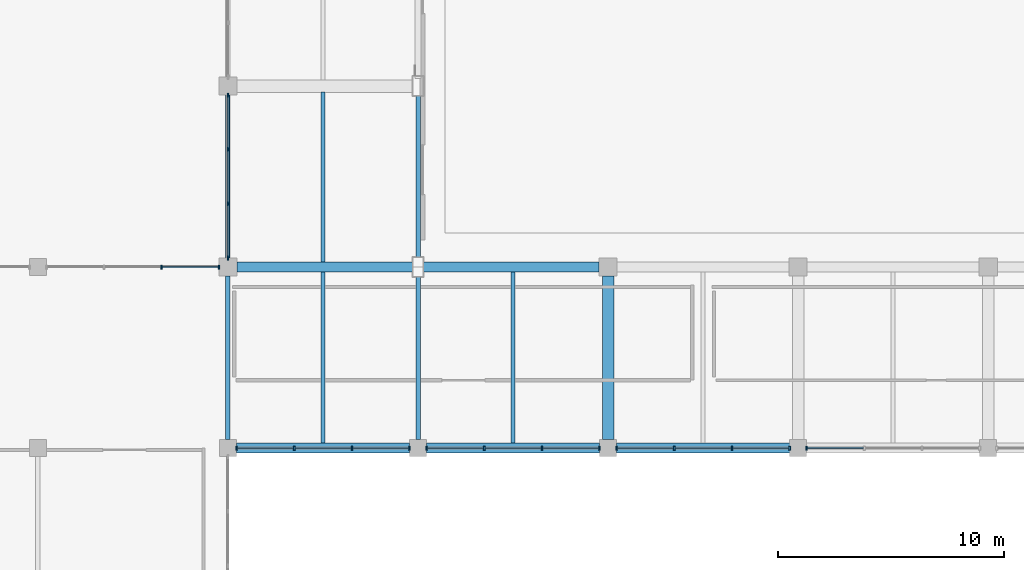
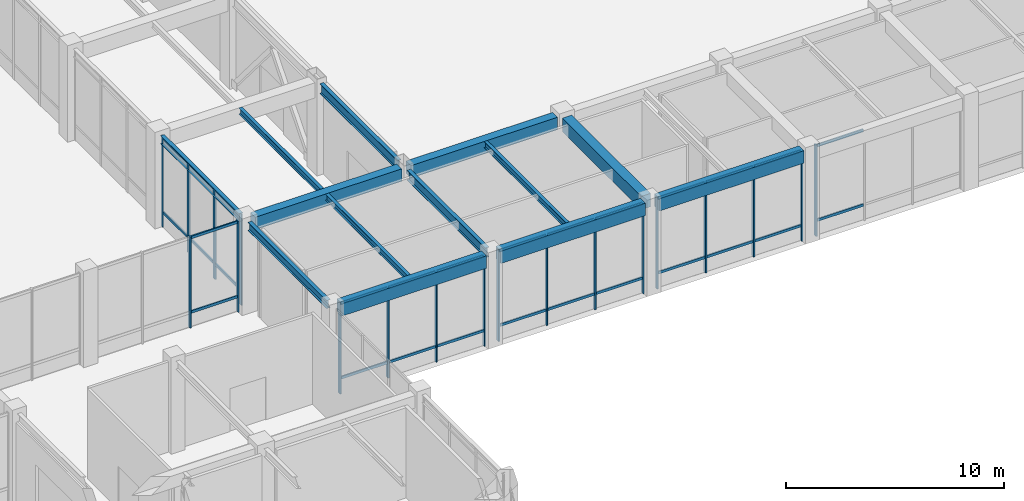
# One storey, part 37 of 79: 47 members, 13 beams, 6 elements without a shape of their own.
"""IFC4 building model written with IfcOpenShell, lengths in metres."""

from ifc_helpers import new_model, si_unit, direction, frame, origin, origin_2d, place, context, subcontext, project, spatial, rectangle, i_section, extrude, material, layer, layer_set, material_profile, profile_set, type_object, element, aggregate, save


model = new_model("IFC4")

# Units and contexts
model_context = context("Model", 3, precision=1e-05, world=origin(), true_north=direction((0.0, 1.0)))
body_context = subcontext(model_context, "Body", "Model", "MODEL_VIEW")
ifc_project = project(units=[si_unit("LENGTHUNIT", "METRE"), si_unit("AREAUNIT", "SQUARE_METRE"), si_unit("VOLUMEUNIT", "CUBIC_METRE"), si_unit("PLANEANGLEUNIT", "RADIAN"), si_unit("MASSUNIT", "GRAM", prefix="KILO")], contexts=[model_context])

# Site, building, storey
site_placement = place(None, origin())
site = spatial("IfcSite", under=ifc_project, at=site_placement, CompositionType="ELEMENT")
building_placement = place(site_placement, origin())
building = spatial("IfcBuilding", under=site, at=building_placement, Name="Naruveol Harbour Congress Hotel", CompositionType="ELEMENT")
storey_placement = place(building_placement, frame((0.0, 0.0, 6.0)))
storey = spatial("IfcBuildingStorey", under=building, at=storey_placement, Name="L01", CompositionType="ELEMENT", Elevation=6.0)

# Beams
ifc_material_1 = material(Name="Concrete C40/50", Category="concrete")
ifc_material_profile_1 = material_profile(ifc_material_1, rectangle(XDim=0.5, YDim=0.75, at=origin_2d()), Name="RCB-500x750")
ifc_profile_set_1 = profile_set([ifc_material_profile_1], Name="Concrete C40/50")
beam_type_1 = type_object("IfcBeamType", Name="RC FLOOR GIRDER 500X750", PredefinedType="BEAM", material=ifc_profile_set_1)
beam_1_placement = place(storey_placement, frame((84.0, 64.37109375, 4.7451171875), z_axis=(0.0, 1.0, 0.0), x_axis=(-1.0, 0.0, 0.0)))
element("IfcBeam", 1, at=beam_1_placement, inside=storey, type_object=beam_type_1, Name="Transverse girder L02 CB3", PredefinedType="BEAM", context=body_context, shape_type="SweptSolid", body=[
    extrude(rectangle(XDim=0.5, YDim=0.75, at=origin_2d()), origin(), (0.0, 0.0, 1.0), 7.23291015625),
])
ifc_material_2 = material(Name="Concrete C40/50", Category="concrete")
ifc_material_profile_2 = material_profile(ifc_material_2, rectangle(XDim=0.449951171875, YDim=0.699951171875, at=origin_2d()), Name="RCB-450x700")
ifc_profile_set_2 = profile_set([ifc_material_profile_2], Name="Concrete C40/50")
beam_type_2 = type_object("IfcBeamType", Name="RC SPANDREL BEAM 450X700", PredefinedType="SPANDREL", material=ifc_profile_set_2)
for number, where, z_axis, x_axis, name in (
    (2, (67.571044921875, 64.0, 4.800048828125), (1.0, 0.0, 0.0), (0.0, 1.0, 0.0), "Floor girder L02 SPB1"),
    (3, (75.970947265625, 64.0, 4.800048828125), (1.0, 0.0, 0.0), (0.0, 1.0, 0.0), "Floor girder L02 SPB1"),
    (4, (84.37109375, 64.0, 4.800048828125), (1.0, 0.0, 0.0), (0.0, 1.0, 0.0), "Floor girder L02 SPB1"),
):
    element("IfcBeam", number, at=place(storey_placement, frame(where, z_axis=z_axis, x_axis=x_axis)), inside=storey, type_object=beam_type_2, Name=name, PredefinedType="SPANDREL", context=body_context, shape_type="SweptSolid", body=[
        extrude(rectangle(XDim=0.449951171875, YDim=0.699951171875, at=origin_2d()), origin(), (0.0, 0.0, 1.0), 7.657958984375),
    ])
for number, where, z_axis, x_axis, name in (
    (5, (67.595947265625, 72.0, 4.77001953125), (1.0, 0.0, 0.0), (0.0, 1.0, 0.0), "Floor girder L02 SPB1"),
    (6, (75.845947265625, 72.0, 4.77001953125), (1.0, 0.0, 0.0), (0.0, 1.0, 0.0), "Floor girder L02 SPB1"),
):
    element("IfcBeam", number, at=place(storey_placement, frame(where, z_axis=z_axis, x_axis=x_axis)), inside=storey, type_object=beam_type_2, Name=name, PredefinedType="SPANDREL", context=body_context, shape_type="SweptSolid", body=[
        extrude(rectangle(XDim=0.449951171875, YDim=0.699951171875, at=origin_2d()), origin(), (0.0, 0.0, 1.0), 7.758056640625),
    ])
ifc_material_3 = material(Name="Steel SN490", Category="steel")
ifc_material_profile_3 = material_profile(ifc_material_3, i_section(OverallWidth=0.199951171875, OverallDepth=0.550048828125, WebThickness=0.010986328125, FlangeThickness=0.01708984375, at=origin_2d()), Name="H-550x200x11x17")
ifc_profile_set_3 = profile_set([ifc_material_profile_3], Name="Steel SN490")
beam_type_3 = type_object("IfcBeamType", Name="STEEL HALL GALLERY BEAM H550", PredefinedType="BEAM", material=ifc_profile_set_3)
beam_2_placement = place(storey_placement, frame((75.60009765625, 64.37109375, 4.844970703125), z_axis=(0.0, 1.0, 0.0), x_axis=(-1.0, 0.0, 0.0)))
element("IfcBeam", 7, at=beam_2_placement, inside=storey, type_object=beam_type_3, Name="Transverse girder L02 SB4", PredefinedType="BEAM", context=body_context, shape_type="SweptSolid", body=[
    extrude(i_section(OverallWidth=0.199951171875, OverallDepth=0.550048828125, WebThickness=0.010986328125, FlangeThickness=0.01708984375, at=origin_2d()), origin(), (0.0, 0.0, 1.0), 7.182861328125),
])
beam_3_placement = place(storey_placement, frame((75.60009765625, 72.446044921875, 4.844970703125), z_axis=(0.0, 1.0, 0.0), x_axis=(-1.0, 0.0, 0.0)))
element("IfcBeam", 8, at=beam_3_placement, inside=storey, type_object=beam_type_3, Name="Transverse girder L02 SB4", PredefinedType="BEAM", context=body_context, shape_type="SweptSolid", body=[
    extrude(i_section(OverallWidth=0.199951171875, OverallDepth=0.550048828125, WebThickness=0.010986328125, FlangeThickness=0.01708984375, at=origin_2d()), origin(), (0.0, 0.0, 1.0), 7.10791015625),
])
ifc_material_4 = material(Name="Steel SN490", Category="steel")
ifc_material_profile_4 = material_profile(ifc_material_4, i_section(OverallWidth=0.175048828125, OverallDepth=0.35009765625, WebThickness=0.007080078125, FlangeThickness=0.010986328125, at=origin_2d()), Name="H-350x175x7x11")
ifc_profile_set_4 = profile_set([ifc_material_profile_4], Name="Steel SN490")
beam_type_4 = type_object("IfcBeamType", Name="STEEL SECONDARY JOIST H350", PredefinedType="JOIST", material=ifc_profile_set_4)
for number, where, z_axis, x_axis, name in (
    (9, (71.39990234375, 64.220947265625, 4.945068359375), (0.0, 1.0, 0.0), (-1.0, 0.0, 0.0), "Secondary floor joist L02 SJ2"),
    (10, (79.800048828125, 64.220947265625, 4.945068359375), (0.0, 1.0, 0.0), (-1.0, 0.0, 0.0), "Secondary floor joist L02 SJ2"),
):
    element("IfcBeam", number, at=place(storey_placement, frame(where, z_axis=z_axis, x_axis=x_axis)), inside=storey, type_object=beam_type_4, Name=name, PredefinedType="JOIST", context=body_context, shape_type="SweptSolid", body=[
        extrude(i_section(OverallWidth=0.175048828125, OverallDepth=0.35009765625, WebThickness=0.007080078125, FlangeThickness=0.010986328125, at=origin_2d()), origin(), (0.0, 0.0, 1.0), 7.55810546875),
    ])
beam_4_placement = place(storey_placement, frame((71.39990234375, 72.220947265625, 4.945068359375), z_axis=(0.0, 1.0, 0.0), x_axis=(-1.0, 0.0, 0.0)))
element("IfcBeam", 11, at=beam_4_placement, inside=storey, type_object=beam_type_4, Name="Secondary floor joist L02 SJ2", PredefinedType="JOIST", context=body_context, shape_type="SweptSolid", body=[
    extrude(i_section(OverallWidth=0.175048828125, OverallDepth=0.35009765625, WebThickness=0.007080078125, FlangeThickness=0.010986328125, at=origin_2d()), origin(), (0.0, 0.0, 1.0), 7.508056640625),
])
ifc_material_5 = material(Name="Steel SN490", Category="steel")
ifc_material_profile_5 = material_profile(ifc_material_5, i_section(OverallWidth=0.199951171875, OverallDepth=0.449951171875, WebThickness=0.009033203125, FlangeThickness=0.013916015625, at=origin_2d()), Name="H-450x200x9x14")
ifc_profile_set_5 = profile_set([ifc_material_profile_5], Name="Steel SN490")
beam_type_5 = type_object("IfcBeamType", Name="STEEL SPANDREL EDGE BEAM H450", PredefinedType="SPANDREL", material=ifc_profile_set_5)
beam_5_placement = place(storey_placement, frame((67.199951171875, 64.37109375, 4.89501953125), z_axis=(0.0, 1.0, 0.0), x_axis=(-1.0, 0.0, 0.0)))
element("IfcBeam", 12, at=beam_5_placement, inside=storey, type_object=beam_type_5, Name="Transverse girder L02 SPB2", PredefinedType="SPANDREL", context=body_context, shape_type="SweptSolid", body=[
    extrude(i_section(OverallWidth=0.199951171875, OverallDepth=0.449951171875, WebThickness=0.009033203125, FlangeThickness=0.013916015625, at=origin_2d()), origin(), (0.0, 0.0, 1.0), 7.23291015625),
])
beam_6_placement = place(storey_placement, frame((67.199951171875, 72.39599609375, 4.89501953125), z_axis=(0.0, 1.0, 0.0), x_axis=(-1.0, 0.0, 0.0)))
element("IfcBeam", 13, at=beam_6_placement, inside=storey, type_object=beam_type_5, Name="Transverse girder L02 SPB2", PredefinedType="SPANDREL", context=body_context, shape_type="SweptSolid", body=[
    extrude(i_section(OverallWidth=0.199951171875, OverallDepth=0.449951171875, WebThickness=0.009033203125, FlangeThickness=0.013916015625, at=origin_2d()), origin(), (0.0, 0.0, 1.0), 7.2080078125),
])

# Curtain wall, members
ifc_material_6 = material(Name="Low-E Curtain Wall System", Category="glass")
ifc_layer_1 = layer(ifc_material_6, 0.179931640625)
ifc_layer_set_1 = layer_set([ifc_layer_1], Name="Low-E Curtain Wall System")
curtain_wall_type_1 = type_object("IfcCurtainWallType", Name="UNITISED CURTAIN WALL CW-V2W-17 7200X5100", PredefinedType="USERDEFINED", material=ifc_layer_set_1)
curtain_wall_1_placement = place(storey_placement, origin())
curtain_wall_1 = element("IfcCurtainWall", 14, at=curtain_wall_1_placement, inside=storey, type_object=curtain_wall_type_1, Name="Unitised curtain wall CW-V2W-17 L01", ObjectType="UNITISED GLAZING", PredefinedType="USERDEFINED")
ifc_material_7 = material(Name="Anodised Aluminium 6063-T6", Category="aluminium")
ifc_material_profile_6 = material_profile(ifc_material_7, rectangle(XDim=0.074951171875, YDim=0.179931640625, at=origin_2d()), Name="ALU-75x180")
ifc_profile_set_6 = profile_set([ifc_material_profile_6], Name="Anodised Aluminium 6063-T6")
member_type_1 = type_object("IfcMemberType", Name="THERMAL ALUMINIUM MULLION 75X180", PredefinedType="MULLION", material=ifc_profile_set_6)
member_1_placement = place(storey_placement, frame((67.199951171875, 72.39990234375, 0.0), z_axis=(0.0, 0.0, 1.0), x_axis=(1.0, 0.0, 0.0)))
member_1 = element("IfcMember", 15, at=member_1_placement, type_object=member_type_1, Name="Curtain wall mullion CW-L01-0036-M0", PredefinedType="MULLION", context=body_context, shape_type="SweptSolid", body=[
    extrude(rectangle(XDim=0.074951171875, YDim=0.179931640625, at=origin_2d()), origin(), (0.0, 0.0, 1.0), 5.10009765625),
])
member_2_placement = place(storey_placement, frame((67.199951171875, 74.800048828125, 0.0), z_axis=(0.0, 0.0, 1.0), x_axis=(1.0, 0.0, 0.0)))
member_2 = element("IfcMember", 16, at=member_2_placement, type_object=member_type_1, Name="Curtain wall mullion CW-L01-0036-M1", PredefinedType="MULLION", context=body_context, shape_type="SweptSolid", body=[
    extrude(rectangle(XDim=0.074951171875, YDim=0.179931640625, at=origin_2d()), origin(), (0.0, 0.0, 1.0), 5.10009765625),
])
member_3_placement = place(storey_placement, frame((67.199951171875, 77.199951171875, 0.0), z_axis=(0.0, 0.0, 1.0), x_axis=(1.0, 0.0, 0.0)))
member_3 = element("IfcMember", 17, at=member_3_placement, type_object=member_type_1, Name="Curtain wall mullion CW-L01-0036-M2", PredefinedType="MULLION", context=body_context, shape_type="SweptSolid", body=[
    extrude(rectangle(XDim=0.074951171875, YDim=0.179931640625, at=origin_2d()), origin(), (0.0, 0.0, 1.0), 5.10009765625),
])
member_4_placement = place(storey_placement, frame((67.199951171875, 79.60009765625, 0.0), z_axis=(0.0, 0.0, 1.0), x_axis=(1.0, 0.0, 0.0)))
member_4 = element("IfcMember", 18, at=member_4_placement, type_object=member_type_1, Name="Curtain wall mullion CW-L01-0036-M3", PredefinedType="MULLION", context=body_context, shape_type="SweptSolid", body=[
    extrude(rectangle(XDim=0.074951171875, YDim=0.179931640625, at=origin_2d()), origin(), (0.0, 0.0, 1.0), 5.10009765625),
])

ifc_material_8 = material(Name="Low-E Curtain Wall System", Category="glass")
ifc_layer_2 = layer(ifc_material_8, 0.179931640625)
ifc_layer_set_2 = layer_set([ifc_layer_2], Name="Low-E Curtain Wall System")
curtain_wall_type_2 = type_object("IfcCurtainWallType", Name="UNITISED CURTAIN WALL CW-V4NF-33 7625X5100", PredefinedType="USERDEFINED", material=ifc_layer_set_2)
curtain_wall_2_placement = place(storey_placement, origin())
curtain_wall_2 = element("IfcCurtainWall", 19, at=curtain_wall_2_placement, inside=storey, type_object=curtain_wall_type_2, Name="Unitised curtain wall CW-V4NF-33 L01", ObjectType="UNITISED GLAZING", PredefinedType="USERDEFINED")
member_5_placement = place(storey_placement, frame((64.25830078125, 72.0, 0.0), z_axis=(0.0, 0.0, 1.0), x_axis=(1.0, 0.0, 0.0)))
member_5 = element("IfcMember", 20, at=member_5_placement, type_object=member_type_1, Name="Curtain wall mullion CW-L01-0077-M2", PredefinedType="MULLION", context=body_context, shape_type="SweptSolid", body=[
    extrude(rectangle(XDim=0.074951171875, YDim=0.179931640625, at=origin_2d()), origin(), (0.0, 0.0, 1.0), 5.10009765625),
])
member_6_placement = place(storey_placement, frame((66.800048828125, 72.0, 0.0), z_axis=(0.0, 0.0, 1.0), x_axis=(1.0, 0.0, 0.0)))
member_6 = element("IfcMember", 21, at=member_6_placement, type_object=member_type_1, Name="Curtain wall mullion CW-L01-0077-M3", PredefinedType="MULLION", context=body_context, shape_type="SweptSolid", body=[
    extrude(rectangle(XDim=0.074951171875, YDim=0.179931640625, at=origin_2d()), origin(), (0.0, 0.0, 1.0), 5.10009765625),
])

ifc_material_9 = material(Name="Low-E Curtain Wall System", Category="glass")
ifc_layer_3 = layer(ifc_material_9, 0.179931640625)
ifc_layer_set_3 = layer_set([ifc_layer_3], Name="Low-E Curtain Wall System")
curtain_wall_type_3 = type_object("IfcCurtainWallType", Name="UNITISED CURTAIN WALL CW-CTN-34 7650X5100", PredefinedType="USERDEFINED", material=ifc_layer_set_3)
curtain_wall_3_placement = place(storey_placement, origin())
curtain_wall_3 = element("IfcCurtainWall", 22, at=curtain_wall_3_placement, inside=storey, type_object=curtain_wall_type_3, Name="Unitised curtain wall CW-CTN-34 L01", ObjectType="UNITISED GLAZING", PredefinedType="USERDEFINED")
member_7_placement = place(storey_placement, frame((75.22509765625, 64.0, 0.0), z_axis=(0.0, 0.0, 1.0), x_axis=(1.0, 0.0, 0.0)))
member_7 = element("IfcMember", 23, at=member_7_placement, type_object=member_type_1, Name="Curtain wall mullion CW-L01-0078-M0", PredefinedType="MULLION", context=body_context, shape_type="SweptSolid", body=[
    extrude(rectangle(XDim=0.074951171875, YDim=0.179931640625, at=origin_2d()), origin(), (0.0, 0.0, 1.0), 5.10009765625),
])
member_8_placement = place(storey_placement, frame((72.675048828125, 64.0, 0.0), z_axis=(0.0, 0.0, 1.0), x_axis=(1.0, 0.0, 0.0)))
member_8 = element("IfcMember", 24, at=member_8_placement, type_object=member_type_1, Name="Curtain wall mullion CW-L01-0078-M1", PredefinedType="MULLION", context=body_context, shape_type="SweptSolid", body=[
    extrude(rectangle(XDim=0.074951171875, YDim=0.179931640625, at=origin_2d()), origin(), (0.0, 0.0, 1.0), 5.10009765625),
])
member_9_placement = place(storey_placement, frame((70.125, 64.0, 0.0), z_axis=(0.0, 0.0, 1.0), x_axis=(1.0, 0.0, 0.0)))
member_9 = element("IfcMember", 25, at=member_9_placement, type_object=member_type_1, Name="Curtain wall mullion CW-L01-0078-M2", PredefinedType="MULLION", context=body_context, shape_type="SweptSolid", body=[
    extrude(rectangle(XDim=0.074951171875, YDim=0.179931640625, at=origin_2d()), origin(), (0.0, 0.0, 1.0), 5.10009765625),
])
member_10_placement = place(storey_placement, frame((67.574951171875, 64.0, 0.0), z_axis=(0.0, 0.0, 1.0), x_axis=(1.0, 0.0, 0.0)))
member_10 = element("IfcMember", 26, at=member_10_placement, type_object=member_type_1, Name="Curtain wall mullion CW-L01-0078-M3", PredefinedType="MULLION", context=body_context, shape_type="SweptSolid", body=[
    extrude(rectangle(XDim=0.074951171875, YDim=0.179931640625, at=origin_2d()), origin(), (0.0, 0.0, 1.0), 5.10009765625),
])

curtain_wall_4_placement = place(storey_placement, origin())
curtain_wall_4 = element("IfcCurtainWall", 27, at=curtain_wall_4_placement, inside=storey, type_object=curtain_wall_type_3, Name="Unitised curtain wall CW-CTN-34 L01", ObjectType="UNITISED GLAZING", PredefinedType="USERDEFINED")
member_11_placement = place(storey_placement, frame((83.625, 64.0, 0.0), z_axis=(0.0, 0.0, 1.0), x_axis=(1.0, 0.0, 0.0)))
member_11 = element("IfcMember", 28, at=member_11_placement, type_object=member_type_1, Name="Curtain wall mullion CW-L01-0080-M0", PredefinedType="MULLION", context=body_context, shape_type="SweptSolid", body=[
    extrude(rectangle(XDim=0.074951171875, YDim=0.179931640625, at=origin_2d()), origin(), (0.0, 0.0, 1.0), 5.10009765625),
])
member_12_placement = place(storey_placement, frame((81.074951171875, 64.0, 0.0), z_axis=(0.0, 0.0, 1.0), x_axis=(1.0, 0.0, 0.0)))
member_12 = element("IfcMember", 29, at=member_12_placement, type_object=member_type_1, Name="Curtain wall mullion CW-L01-0080-M1", PredefinedType="MULLION", context=body_context, shape_type="SweptSolid", body=[
    extrude(rectangle(XDim=0.074951171875, YDim=0.179931640625, at=origin_2d()), origin(), (0.0, 0.0, 1.0), 5.10009765625),
])
member_13_placement = place(storey_placement, frame((78.52490234375, 64.0, 0.0), z_axis=(0.0, 0.0, 1.0), x_axis=(1.0, 0.0, 0.0)))
member_13 = element("IfcMember", 30, at=member_13_placement, type_object=member_type_1, Name="Curtain wall mullion CW-L01-0080-M2", PredefinedType="MULLION", context=body_context, shape_type="SweptSolid", body=[
    extrude(rectangle(XDim=0.074951171875, YDim=0.179931640625, at=origin_2d()), origin(), (0.0, 0.0, 1.0), 5.10009765625),
])
member_14_placement = place(storey_placement, frame((75.97509765625, 64.0, 0.0), z_axis=(0.0, 0.0, 1.0), x_axis=(1.0, 0.0, 0.0)))
member_14 = element("IfcMember", 31, at=member_14_placement, type_object=member_type_1, Name="Curtain wall mullion CW-L01-0080-M3", PredefinedType="MULLION", context=body_context, shape_type="SweptSolid", body=[
    extrude(rectangle(XDim=0.074951171875, YDim=0.179931640625, at=origin_2d()), origin(), (0.0, 0.0, 1.0), 5.10009765625),
])

curtain_wall_5_placement = place(storey_placement, origin())
curtain_wall_5 = element("IfcCurtainWall", 32, at=curtain_wall_5_placement, inside=storey, type_object=curtain_wall_type_3, Name="Unitised curtain wall CW-CTN-34 L01", ObjectType="UNITISED GLAZING", PredefinedType="USERDEFINED")
member_15_placement = place(storey_placement, frame((92.02490234375, 64.0, 0.0), z_axis=(0.0, 0.0, 1.0), x_axis=(1.0, 0.0, 0.0)))
member_15 = element("IfcMember", 33, at=member_15_placement, type_object=member_type_1, Name="Curtain wall mullion CW-L01-0082-M0", PredefinedType="MULLION", context=body_context, shape_type="SweptSolid", body=[
    extrude(rectangle(XDim=0.074951171875, YDim=0.179931640625, at=origin_2d()), origin(), (0.0, 0.0, 1.0), 5.10009765625),
])
member_16_placement = place(storey_placement, frame((89.47509765625, 64.0, 0.0), z_axis=(0.0, 0.0, 1.0), x_axis=(1.0, 0.0, 0.0)))
member_16 = element("IfcMember", 34, at=member_16_placement, type_object=member_type_1, Name="Curtain wall mullion CW-L01-0082-M1", PredefinedType="MULLION", context=body_context, shape_type="SweptSolid", body=[
    extrude(rectangle(XDim=0.074951171875, YDim=0.179931640625, at=origin_2d()), origin(), (0.0, 0.0, 1.0), 5.10009765625),
])
member_17_placement = place(storey_placement, frame((86.925048828125, 64.0, 0.0), z_axis=(0.0, 0.0, 1.0), x_axis=(1.0, 0.0, 0.0)))
member_17 = element("IfcMember", 35, at=member_17_placement, type_object=member_type_1, Name="Curtain wall mullion CW-L01-0082-M2", PredefinedType="MULLION", context=body_context, shape_type="SweptSolid", body=[
    extrude(rectangle(XDim=0.074951171875, YDim=0.179931640625, at=origin_2d()), origin(), (0.0, 0.0, 1.0), 5.10009765625),
])
member_18_placement = place(storey_placement, frame((84.375, 64.0, 0.0), z_axis=(0.0, 0.0, 1.0), x_axis=(1.0, 0.0, 0.0)))
member_18 = element("IfcMember", 36, at=member_18_placement, type_object=member_type_1, Name="Curtain wall mullion CW-L01-0082-M3", PredefinedType="MULLION", context=body_context, shape_type="SweptSolid", body=[
    extrude(rectangle(XDim=0.074951171875, YDim=0.179931640625, at=origin_2d()), origin(), (0.0, 0.0, 1.0), 5.10009765625),
])

# Curtain wall, member
curtain_wall_6_placement = place(storey_placement, origin())
curtain_wall_6 = element("IfcCurtainWall", 37, at=curtain_wall_6_placement, inside=storey, type_object=curtain_wall_type_3, Name="Unitised curtain wall CW-CTN-34 L01", ObjectType="UNITISED GLAZING", PredefinedType="USERDEFINED")
member_19_placement = place(storey_placement, frame((92.77490234375, 64.0, 0.0), z_axis=(0.0, 0.0, 1.0), x_axis=(1.0, 0.0, 0.0)))
member_19 = element("IfcMember", 38, at=member_19_placement, type_object=member_type_1, Name="Curtain wall mullion CW-L01-0084-M3", PredefinedType="MULLION", context=body_context, shape_type="SweptSolid", body=[
    extrude(rectangle(XDim=0.074951171875, YDim=0.179931640625, at=origin_2d()), origin(), (0.0, 0.0, 1.0), 5.10009765625),
])

# Member
ifc_material_10 = material(Name="Anodised Aluminium 6063-T6", Category="aluminium")
ifc_material_profile_7 = material_profile(ifc_material_10, rectangle(XDim=0.074951171875, YDim=0.14990234375, at=origin_2d()), Name="ALU-75x150")
ifc_profile_set_7 = profile_set([ifc_material_profile_7], Name="Anodised Aluminium 6063-T6")
member_type_2 = type_object("IfcMemberType", Name="THERMAL ALUMINIUM TRANSOM 75X150", PredefinedType="USERDEFINED", material=ifc_profile_set_7)
member_20_placement = place(storey_placement, frame((67.199951171875, 72.43994140625, 0.85009765625), z_axis=(0.0, 1.0, 0.0), x_axis=(-1.0, 0.0, 0.0)))
member_20 = element("IfcMember", 39, at=member_20_placement, type_object=member_type_2, Name="Curtain wall transom CW-L01-0036-T0.1", ObjectType="TRANSOM", PredefinedType="USERDEFINED", context=body_context, shape_type="SweptSolid", body=[
    extrude(rectangle(XDim=0.074951171875, YDim=0.14990234375, at=origin_2d()), origin(), (0.0, 0.0, 1.0), 2.320068359375),
])

member_21_placement = place(storey_placement, frame((67.199951171875, 72.43994140625, 5.02001953125), z_axis=(0.0, 1.0, 0.0), x_axis=(-1.0, 0.0, 0.0)))
member_21 = element("IfcMember", 40, at=member_21_placement, type_object=member_type_2, Name="Curtain wall transom CW-L01-0036-T0.2", ObjectType="TRANSOM", PredefinedType="USERDEFINED", context=body_context, shape_type="SweptSolid", body=[
    extrude(rectangle(XDim=0.074951171875, YDim=0.14990234375, at=origin_2d()), origin(), (0.0, 0.0, 1.0), 2.320068359375),
])

member_22_placement = place(storey_placement, frame((67.199951171875, 74.840087890625, 0.85009765625), z_axis=(0.0, 1.0, 0.0), x_axis=(-1.0, 0.0, 0.0)))
member_22 = element("IfcMember", 41, at=member_22_placement, type_object=member_type_2, Name="Curtain wall transom CW-L01-0036-T1.1", ObjectType="TRANSOM", PredefinedType="USERDEFINED", context=body_context, shape_type="SweptSolid", body=[
    extrude(rectangle(XDim=0.074951171875, YDim=0.14990234375, at=origin_2d()), origin(), (0.0, 0.0, 1.0), 2.31982421875),
])

member_23_placement = place(storey_placement, frame((67.199951171875, 74.840087890625, 5.02001953125), z_axis=(0.0, 1.0, 0.0), x_axis=(-1.0, 0.0, 0.0)))
member_23 = element("IfcMember", 42, at=member_23_placement, type_object=member_type_2, Name="Curtain wall transom CW-L01-0036-T1.2", ObjectType="TRANSOM", PredefinedType="USERDEFINED", context=body_context, shape_type="SweptSolid", body=[
    extrude(rectangle(XDim=0.074951171875, YDim=0.14990234375, at=origin_2d()), origin(), (0.0, 0.0, 1.0), 2.31982421875),
])

member_24_placement = place(storey_placement, frame((67.199951171875, 77.239990234375, 0.85009765625), z_axis=(0.0, 1.0, 0.0), x_axis=(-1.0, 0.0, 0.0)))
member_24 = element("IfcMember", 43, at=member_24_placement, type_object=member_type_2, Name="Curtain wall transom CW-L01-0036-T2.1", ObjectType="TRANSOM", PredefinedType="USERDEFINED", context=body_context, shape_type="SweptSolid", body=[
    extrude(rectangle(XDim=0.074951171875, YDim=0.14990234375, at=origin_2d()), origin(), (0.0, 0.0, 1.0), 2.320068359375),
])

member_25_placement = place(storey_placement, frame((67.199951171875, 77.239990234375, 5.02001953125), z_axis=(0.0, 1.0, 0.0), x_axis=(-1.0, 0.0, 0.0)))
member_25 = element("IfcMember", 44, at=member_25_placement, type_object=member_type_2, Name="Curtain wall transom CW-L01-0036-T2.2", ObjectType="TRANSOM", PredefinedType="USERDEFINED", context=body_context, shape_type="SweptSolid", body=[
    extrude(rectangle(XDim=0.074951171875, YDim=0.14990234375, at=origin_2d()), origin(), (0.0, 0.0, 1.0), 2.320068359375),
])

aggregate(curtain_wall_1, [member_1, member_2, member_3, member_4, member_20, member_21, member_22, member_23, member_24, member_25])

member_26_placement = place(storey_placement, frame((64.29833984375, 72.0, 0.85009765625), z_axis=(1.0, 0.0, 0.0), x_axis=(0.0, 1.0, 0.0)))
member_26 = element("IfcMember", 45, at=member_26_placement, type_object=member_type_2, Name="Curtain wall transom CW-L01-0077-T2.1", ObjectType="TRANSOM", PredefinedType="USERDEFINED", context=body_context, shape_type="SweptSolid", body=[
    extrude(rectangle(XDim=0.074951171875, YDim=0.14990234375, at=origin_2d()), origin(), (0.0, 0.0, 1.0), 2.461669921875),
])

member_27_placement = place(storey_placement, frame((64.29833984375, 72.0, 5.02001953125), z_axis=(1.0, 0.0, 0.0), x_axis=(0.0, 1.0, 0.0)))
member_27 = element("IfcMember", 46, at=member_27_placement, type_object=member_type_2, Name="Curtain wall transom CW-L01-0077-T2.2", ObjectType="TRANSOM", PredefinedType="USERDEFINED", context=body_context, shape_type="SweptSolid", body=[
    extrude(rectangle(XDim=0.074951171875, YDim=0.14990234375, at=origin_2d()), origin(), (0.0, 0.0, 1.0), 2.461669921875),
])

aggregate(curtain_wall_2, [member_5, member_6, member_26, member_27])

member_28_placement = place(storey_placement, frame((75.18505859375, 64.0, 0.85009765625), z_axis=(-1.0, 0.0, 0.0), x_axis=(0.0, -1.0, 0.0)))
member_28 = element("IfcMember", 47, at=member_28_placement, type_object=member_type_2, Name="Curtain wall transom CW-L01-0078-T0.1", ObjectType="TRANSOM", PredefinedType="USERDEFINED", context=body_context, shape_type="SweptSolid", body=[
    extrude(rectangle(XDim=0.074951171875, YDim=0.14990234375, at=origin_2d()), origin(), (0.0, 0.0, 1.0), 2.469970703125),
])

member_29_placement = place(storey_placement, frame((75.18505859375, 64.0, 5.02001953125), z_axis=(-1.0, 0.0, 0.0), x_axis=(0.0, -1.0, 0.0)))
member_29 = element("IfcMember", 48, at=member_29_placement, type_object=member_type_2, Name="Curtain wall transom CW-L01-0078-T0.2", ObjectType="TRANSOM", PredefinedType="USERDEFINED", context=body_context, shape_type="SweptSolid", body=[
    extrude(rectangle(XDim=0.074951171875, YDim=0.14990234375, at=origin_2d()), origin(), (0.0, 0.0, 1.0), 2.469970703125),
])

member_30_placement = place(storey_placement, frame((72.635009765625, 64.0, 0.85009765625), z_axis=(-1.0, 0.0, 0.0), x_axis=(0.0, -1.0, 0.0)))
member_30 = element("IfcMember", 49, at=member_30_placement, type_object=member_type_2, Name="Curtain wall transom CW-L01-0078-T1.1", ObjectType="TRANSOM", PredefinedType="USERDEFINED", context=body_context, shape_type="SweptSolid", body=[
    extrude(rectangle(XDim=0.074951171875, YDim=0.14990234375, at=origin_2d()), origin(), (0.0, 0.0, 1.0), 2.469970703125),
])

member_31_placement = place(storey_placement, frame((72.635009765625, 64.0, 5.02001953125), z_axis=(-1.0, 0.0, 0.0), x_axis=(0.0, -1.0, 0.0)))
member_31 = element("IfcMember", 50, at=member_31_placement, type_object=member_type_2, Name="Curtain wall transom CW-L01-0078-T1.2", ObjectType="TRANSOM", PredefinedType="USERDEFINED", context=body_context, shape_type="SweptSolid", body=[
    extrude(rectangle(XDim=0.074951171875, YDim=0.14990234375, at=origin_2d()), origin(), (0.0, 0.0, 1.0), 2.469970703125),
])

member_32_placement = place(storey_placement, frame((70.0849609375, 64.0, 0.85009765625), z_axis=(-1.0, 0.0, 0.0), x_axis=(0.0, -1.0, 0.0)))
member_32 = element("IfcMember", 51, at=member_32_placement, type_object=member_type_2, Name="Curtain wall transom CW-L01-0078-T2.1", ObjectType="TRANSOM", PredefinedType="USERDEFINED", context=body_context, shape_type="SweptSolid", body=[
    extrude(rectangle(XDim=0.074951171875, YDim=0.14990234375, at=origin_2d()), origin(), (0.0, 0.0, 1.0), 2.469970703125),
])

member_33_placement = place(storey_placement, frame((70.0849609375, 64.0, 5.02001953125), z_axis=(-1.0, 0.0, 0.0), x_axis=(0.0, -1.0, 0.0)))
member_33 = element("IfcMember", 52, at=member_33_placement, type_object=member_type_2, Name="Curtain wall transom CW-L01-0078-T2.2", ObjectType="TRANSOM", PredefinedType="USERDEFINED", context=body_context, shape_type="SweptSolid", body=[
    extrude(rectangle(XDim=0.074951171875, YDim=0.14990234375, at=origin_2d()), origin(), (0.0, 0.0, 1.0), 2.469970703125),
])

aggregate(curtain_wall_3, [member_7, member_8, member_9, member_10, member_28, member_29, member_30, member_31, member_32, member_33])

member_34_placement = place(storey_placement, frame((83.5849609375, 64.0, 0.85009765625), z_axis=(-1.0, 0.0, 0.0), x_axis=(0.0, -1.0, 0.0)))
member_34 = element("IfcMember", 53, at=member_34_placement, type_object=member_type_2, Name="Curtain wall transom CW-L01-0080-T0.1", ObjectType="TRANSOM", PredefinedType="USERDEFINED", context=body_context, shape_type="SweptSolid", body=[
    extrude(rectangle(XDim=0.074951171875, YDim=0.14990234375, at=origin_2d()), origin(), (0.0, 0.0, 1.0), 2.469970703125),
])

member_35_placement = place(storey_placement, frame((83.5849609375, 64.0, 5.02001953125), z_axis=(-1.0, 0.0, 0.0), x_axis=(0.0, -1.0, 0.0)))
member_35 = element("IfcMember", 54, at=member_35_placement, type_object=member_type_2, Name="Curtain wall transom CW-L01-0080-T0.2", ObjectType="TRANSOM", PredefinedType="USERDEFINED", context=body_context, shape_type="SweptSolid", body=[
    extrude(rectangle(XDim=0.074951171875, YDim=0.14990234375, at=origin_2d()), origin(), (0.0, 0.0, 1.0), 2.469970703125),
])

member_36_placement = place(storey_placement, frame((81.034912109375, 64.0, 0.85009765625), z_axis=(-1.0, 0.0, 0.0), x_axis=(0.0, -1.0, 0.0)))
member_36 = element("IfcMember", 55, at=member_36_placement, type_object=member_type_2, Name="Curtain wall transom CW-L01-0080-T1.1", ObjectType="TRANSOM", PredefinedType="USERDEFINED", context=body_context, shape_type="SweptSolid", body=[
    extrude(rectangle(XDim=0.074951171875, YDim=0.14990234375, at=origin_2d()), origin(), (0.0, 0.0, 1.0), 2.469970703125),
])

member_37_placement = place(storey_placement, frame((81.034912109375, 64.0, 5.02001953125), z_axis=(-1.0, 0.0, 0.0), x_axis=(0.0, -1.0, 0.0)))
member_37 = element("IfcMember", 56, at=member_37_placement, type_object=member_type_2, Name="Curtain wall transom CW-L01-0080-T1.2", ObjectType="TRANSOM", PredefinedType="USERDEFINED", context=body_context, shape_type="SweptSolid", body=[
    extrude(rectangle(XDim=0.074951171875, YDim=0.14990234375, at=origin_2d()), origin(), (0.0, 0.0, 1.0), 2.469970703125),
])

member_38_placement = place(storey_placement, frame((78.485107421875, 64.0, 0.85009765625), z_axis=(-1.0, 0.0, 0.0), x_axis=(0.0, -1.0, 0.0)))
member_38 = element("IfcMember", 57, at=member_38_placement, type_object=member_type_2, Name="Curtain wall transom CW-L01-0080-T2.1", ObjectType="TRANSOM", PredefinedType="USERDEFINED", context=body_context, shape_type="SweptSolid", body=[
    extrude(rectangle(XDim=0.074951171875, YDim=0.14990234375, at=origin_2d()), origin(), (0.0, 0.0, 1.0), 2.47021484375),
])

member_39_placement = place(storey_placement, frame((78.485107421875, 64.0, 5.02001953125), z_axis=(-1.0, 0.0, 0.0), x_axis=(0.0, -1.0, 0.0)))
member_39 = element("IfcMember", 58, at=member_39_placement, type_object=member_type_2, Name="Curtain wall transom CW-L01-0080-T2.2", ObjectType="TRANSOM", PredefinedType="USERDEFINED", context=body_context, shape_type="SweptSolid", body=[
    extrude(rectangle(XDim=0.074951171875, YDim=0.14990234375, at=origin_2d()), origin(), (0.0, 0.0, 1.0), 2.47021484375),
])

aggregate(curtain_wall_4, [member_11, member_12, member_13, member_14, member_34, member_35, member_36, member_37, member_38, member_39])

member_40_placement = place(storey_placement, frame((91.985107421875, 64.0, 0.85009765625), z_axis=(-1.0, 0.0, 0.0), x_axis=(0.0, -1.0, 0.0)))
member_40 = element("IfcMember", 59, at=member_40_placement, type_object=member_type_2, Name="Curtain wall transom CW-L01-0082-T0.1", ObjectType="TRANSOM", PredefinedType="USERDEFINED", context=body_context, shape_type="SweptSolid", body=[
    extrude(rectangle(XDim=0.074951171875, YDim=0.14990234375, at=origin_2d()), origin(), (0.0, 0.0, 1.0), 2.47021484375),
])

member_41_placement = place(storey_placement, frame((91.985107421875, 64.0, 5.02001953125), z_axis=(-1.0, 0.0, 0.0), x_axis=(0.0, -1.0, 0.0)))
member_41 = element("IfcMember", 60, at=member_41_placement, type_object=member_type_2, Name="Curtain wall transom CW-L01-0082-T0.2", ObjectType="TRANSOM", PredefinedType="USERDEFINED", context=body_context, shape_type="SweptSolid", body=[
    extrude(rectangle(XDim=0.074951171875, YDim=0.14990234375, at=origin_2d()), origin(), (0.0, 0.0, 1.0), 2.47021484375),
])

member_42_placement = place(storey_placement, frame((89.43505859375, 64.0, 0.85009765625), z_axis=(-1.0, 0.0, 0.0), x_axis=(0.0, -1.0, 0.0)))
member_42 = element("IfcMember", 61, at=member_42_placement, type_object=member_type_2, Name="Curtain wall transom CW-L01-0082-T1.1", ObjectType="TRANSOM", PredefinedType="USERDEFINED", context=body_context, shape_type="SweptSolid", body=[
    extrude(rectangle(XDim=0.074951171875, YDim=0.14990234375, at=origin_2d()), origin(), (0.0, 0.0, 1.0), 2.469970703125),
])

member_43_placement = place(storey_placement, frame((89.43505859375, 64.0, 5.02001953125), z_axis=(-1.0, 0.0, 0.0), x_axis=(0.0, -1.0, 0.0)))
member_43 = element("IfcMember", 62, at=member_43_placement, type_object=member_type_2, Name="Curtain wall transom CW-L01-0082-T1.2", ObjectType="TRANSOM", PredefinedType="USERDEFINED", context=body_context, shape_type="SweptSolid", body=[
    extrude(rectangle(XDim=0.074951171875, YDim=0.14990234375, at=origin_2d()), origin(), (0.0, 0.0, 1.0), 2.469970703125),
])

member_44_placement = place(storey_placement, frame((86.885009765625, 64.0, 0.85009765625), z_axis=(-1.0, 0.0, 0.0), x_axis=(0.0, -1.0, 0.0)))
member_44 = element("IfcMember", 63, at=member_44_placement, type_object=member_type_2, Name="Curtain wall transom CW-L01-0082-T2.1", ObjectType="TRANSOM", PredefinedType="USERDEFINED", context=body_context, shape_type="SweptSolid", body=[
    extrude(rectangle(XDim=0.074951171875, YDim=0.14990234375, at=origin_2d()), origin(), (0.0, 0.0, 1.0), 2.469970703125),
])

member_45_placement = place(storey_placement, frame((86.885009765625, 64.0, 5.02001953125), z_axis=(-1.0, 0.0, 0.0), x_axis=(0.0, -1.0, 0.0)))
member_45 = element("IfcMember", 64, at=member_45_placement, type_object=member_type_2, Name="Curtain wall transom CW-L01-0082-T2.2", ObjectType="TRANSOM", PredefinedType="USERDEFINED", context=body_context, shape_type="SweptSolid", body=[
    extrude(rectangle(XDim=0.074951171875, YDim=0.14990234375, at=origin_2d()), origin(), (0.0, 0.0, 1.0), 2.469970703125),
])

aggregate(curtain_wall_5, [member_15, member_16, member_17, member_18, member_40, member_41, member_42, member_43, member_44, member_45])

member_46_placement = place(storey_placement, frame((95.284912109375, 64.0, 0.85009765625), z_axis=(-1.0, 0.0, 0.0), x_axis=(0.0, -1.0, 0.0)))
member_46 = element("IfcMember", 65, at=member_46_placement, type_object=member_type_2, Name="Curtain wall transom CW-L01-0084-T2.1", ObjectType="TRANSOM", PredefinedType="USERDEFINED", context=body_context, shape_type="SweptSolid", body=[
    extrude(rectangle(XDim=0.074951171875, YDim=0.14990234375, at=origin_2d()), origin(), (0.0, 0.0, 1.0), 2.469970703125),
])

member_47_placement = place(storey_placement, frame((95.284912109375, 64.0, 5.02001953125), z_axis=(-1.0, 0.0, 0.0), x_axis=(0.0, -1.0, 0.0)))
member_47 = element("IfcMember", 66, at=member_47_placement, type_object=member_type_2, Name="Curtain wall transom CW-L01-0084-T2.2", ObjectType="TRANSOM", PredefinedType="USERDEFINED", context=body_context, shape_type="SweptSolid", body=[
    extrude(rectangle(XDim=0.074951171875, YDim=0.14990234375, at=origin_2d()), origin(), (0.0, 0.0, 1.0), 2.469970703125),
])

aggregate(curtain_wall_6, [member_19, member_46, member_47])

save(model, "model.ifc")
